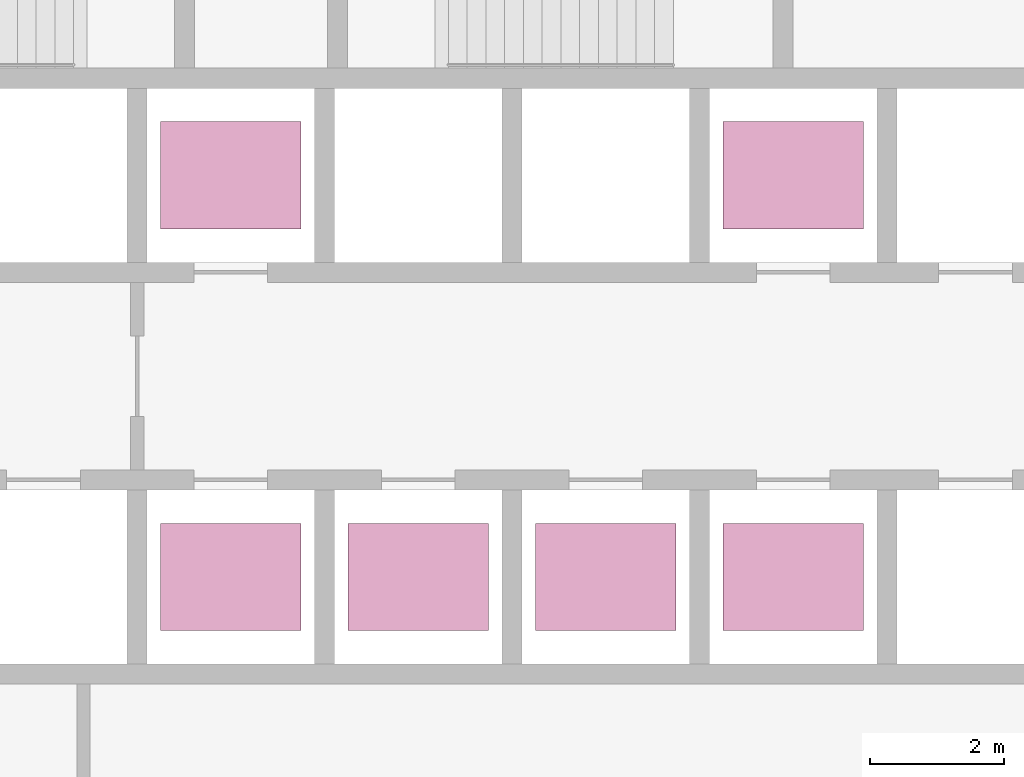
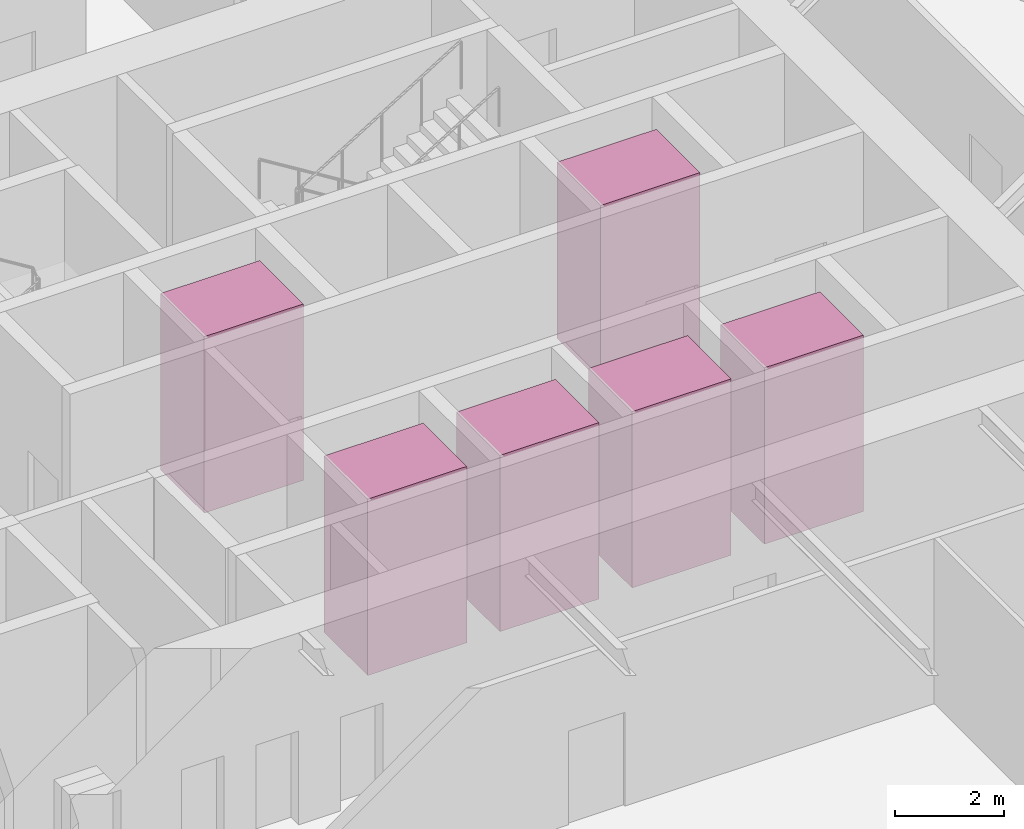
# One storey, part 14 of 14: 6 transport elements.
"""IFC4 building model written with IfcOpenShell, lengths in metres."""

from ifc_helpers import new_model, si_unit, direction, frame, origin, origin_2d, place, context, subcontext, project, spatial, rectangle, extrude, material, type_object, element, save


model = new_model("IFC4")

# Units and contexts
model_context = context("Model", 3, precision=1e-05, world=origin(), true_north=direction((0.0, 1.0)))
body_context = subcontext(model_context, "Body", "Model", "MODEL_VIEW")
ifc_project = project(units=[si_unit("LENGTHUNIT", "METRE"), si_unit("AREAUNIT", "SQUARE_METRE"), si_unit("VOLUMEUNIT", "CUBIC_METRE"), si_unit("PLANEANGLEUNIT", "RADIAN"), si_unit("MASSUNIT", "GRAM", prefix="KILO")], contexts=[model_context])

# Site, building, storey
site_placement = place(None, origin())
site = spatial("IfcSite", under=ifc_project, at=site_placement, CompositionType="ELEMENT")
building_placement = place(site_placement, origin())
building = spatial("IfcBuilding", under=site, at=building_placement, Name="Firuza Gate Tower and Library", CompositionType="ELEMENT")
storey_placement = place(building_placement, frame((0.0, 0.0, 35.5)))
storey = spatial("IfcBuildingStorey", under=building, at=storey_placement, Name="L07", CompositionType="ELEMENT", Elevation=35.5)

# Transport elements
ifc_material = material(Name="Stainless steel and glass", Category="steel")
transport_element_type = type_object("IfcTransportElementType", Name="Low-rise lift car 2100x1600", PredefinedType="ELEVATOR", material=ifc_material)
for number, where, z_axis, x_axis, name in (
    (1, (74.64990234375, 70.300048828125, 0.0), (0.0, 0.0, 1.0), (1.0, 0.0, 0.0), "Low-rise lift LR1"),
    (2, (77.449951171875, 70.300048828125, 0.0), (0.0, 0.0, 1.0), (1.0, 0.0, 0.0), "Low-rise lift LR2"),
    (3, (80.25, 70.300048828125, 0.0), (0.0, 0.0, 1.0), (1.0, 0.0, 0.0), "Low-rise lift LR3"),
    (4, (74.64990234375, 76.300048828125, 0.0), (0.0, 0.0, 1.0), (1.0, 0.0, 0.0), "Low-rise lift LR4"),
    (5, (83.050048828125, 70.300048828125, 0.0), (0.0, 0.0, 1.0), (1.0, 0.0, 0.0), "Low-rise lift LR5"),
    (6, (83.050048828125, 76.300048828125, 0.0), (0.0, 0.0, 1.0), (1.0, 0.0, 0.0), "Low-rise lift LR6"),
):
    element("IfcTransportElement", number, at=place(storey_placement, frame(where, z_axis=z_axis, x_axis=x_axis)), inside=storey, type_object=transport_element_type, Name=name, PredefinedType="ELEVATOR", context=body_context, shape_type="SweptSolid", body=[
        extrude(rectangle(XDim=2.10009765625, YDim=1.60009765625, at=origin_2d()), origin(), (0.0, 0.0, 1.0), 3.949951171875),
    ])

save(model, "model.ifc")
